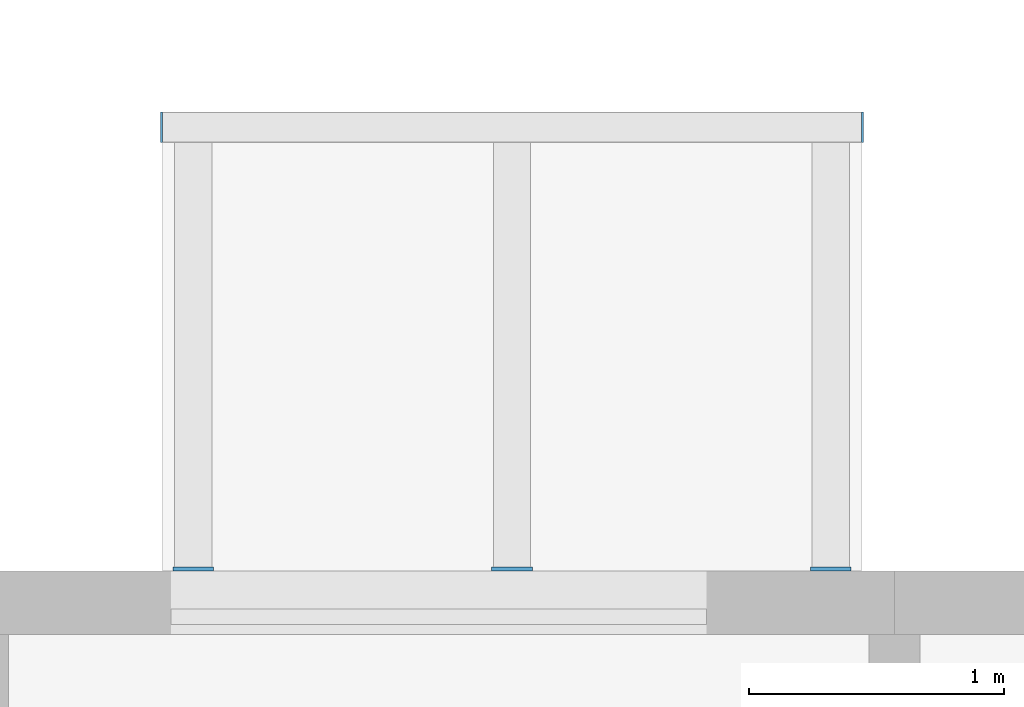
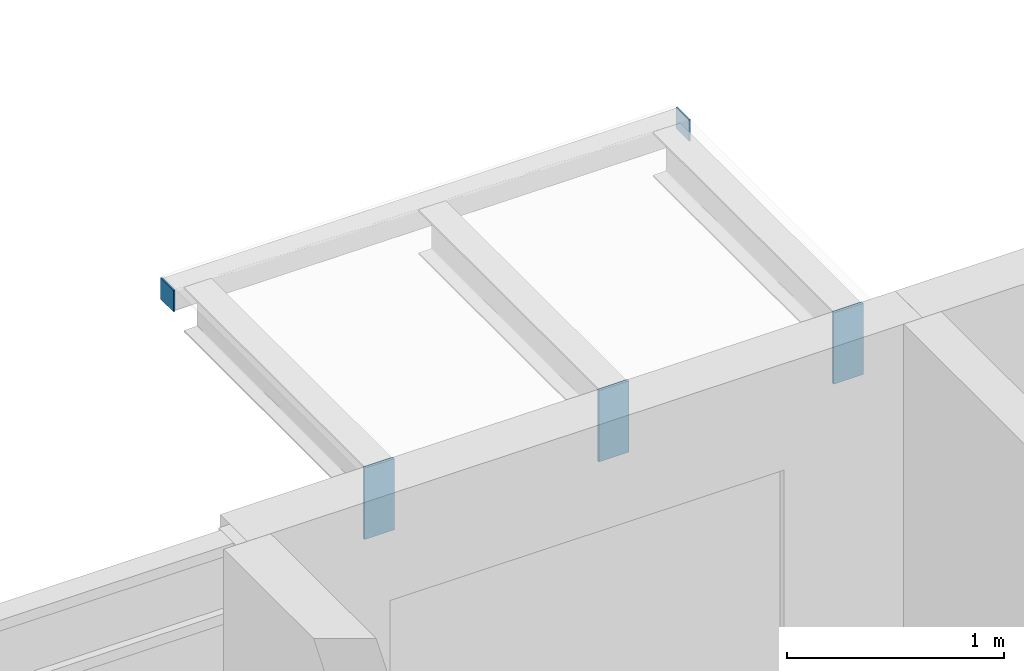
# One storey, part 68 of 98: 5 discrete accessories.
"""IFC4 building model written with IfcOpenShell, lengths in metres."""

from ifc_helpers import new_model, si_unit, direction, frame, origin, origin_2d, place, context, subcontext, project, spatial, rectangle, extrude, material, layer, layer_set, type_object, element, save


model = new_model("IFC4")

# Units and contexts
model_context = context("Model", 3, precision=1e-05, world=origin(), true_north=direction((0.0, 1.0)))
body_context = subcontext(model_context, "Body", "Model", "MODEL_VIEW")
ifc_project = project(units=[si_unit("LENGTHUNIT", "METRE"), si_unit("AREAUNIT", "SQUARE_METRE"), si_unit("VOLUMEUNIT", "CUBIC_METRE"), si_unit("PLANEANGLEUNIT", "RADIAN"), si_unit("MASSUNIT", "GRAM", prefix="KILO")], contexts=[model_context])

# Site, building, storey
site_placement = place(None, origin())
site = spatial("IfcSite", under=ifc_project, at=site_placement, CompositionType="ELEMENT")
building_placement = place(site_placement, origin())
building = spatial("IfcBuilding", under=site, at=building_placement, Name="Ridgestep Commons", CompositionType="ELEMENT")
storey_placement = place(building_placement, frame((0.0, 0.0, 12.0)))
storey = spatial("IfcBuildingStorey", under=building, at=storey_placement, Name="L04", CompositionType="ELEMENT", Elevation=12.0)

# Discrete accessories
ifc_material_1 = material(Name="Weathering steel S355J2W", Category="steel")
ifc_layer_1 = layer(ifc_material_1, 0.014892578125)
ifc_layer_set_1 = layer_set([ifc_layer_1], Name="Tray bracket plate 15")
discrete_accessory_type_1 = type_object("IfcDiscreteAccessoryType", Name="Tray bracket plate 15", PredefinedType="BRACKET", material=ifc_layer_set_1)
for number, where, z_axis, x_axis, name in (
    (1, (52.449951171875, 77.257568359375, 2.588623046875), (0.0, 0.0, 1.0), (1.0, 0.0, 0.0), "Tray bracket B3T3-05.1"),
    (2, (53.699951171875, 77.257568359375, 2.588623046875), (0.0, 0.0, 1.0), (1.0, 0.0, 0.0), "Tray bracket B3T3-05.2"),
    (3, (54.949951171875, 77.257568359375, 2.588623046875), (0.0, 0.0, 1.0), (1.0, 0.0, 0.0), "Tray bracket B3T3-05.3"),
):
    element("IfcDiscreteAccessory", number, at=place(storey_placement, frame(where, z_axis=z_axis, x_axis=x_axis)), inside=storey, type_object=discrete_accessory_type_1, Name=name, PredefinedType="BRACKET", context=body_context, shape_type="SweptSolid", body=[
        extrude(rectangle(XDim=0.159912109375, YDim=0.014892578125, at=origin_2d()), origin(), (0.0, 0.0, 1.0), 0.4013671875),
    ])
ifc_material_2 = material(Name="Weathering steel S355J2W", Category="steel")
ifc_layer_2 = layer(ifc_material_2, 0.008056640625)
ifc_layer_set_2 = layer_set([ifc_layer_2], Name="Tray edge member end plate 120 x 120 x 8")
discrete_accessory_type_2 = type_object("IfcDiscreteAccessoryType", Name="Tray edge member end plate 120 x 120 x 8", PredefinedType="BRACKET", material=ifc_layer_set_2)
for number, where, z_axis, x_axis, name in (
    (4, (52.325927734375, 78.989990234375, 2.869873046875), (0.0, 0.0, 1.0), (1.0, 0.0, 0.0), "Tray edge member end plate B3T3-05 west"),
    (5, (55.073974609375, 78.989990234375, 2.869873046875), (0.0, 0.0, 1.0), (1.0, 0.0, 0.0), "Tray edge member end plate B3T3-05 east"),
):
    element("IfcDiscreteAccessory", number, at=place(storey_placement, frame(where, z_axis=z_axis, x_axis=x_axis)), inside=storey, type_object=discrete_accessory_type_2, Name=name, PredefinedType="BRACKET", context=body_context, shape_type="SweptSolid", body=[
        extrude(rectangle(XDim=0.008056640625, YDim=0.1201171875, at=origin_2d()), origin(), (0.0, 0.0, 1.0), 0.1201171875),
    ])

save(model, "model.ifc")
